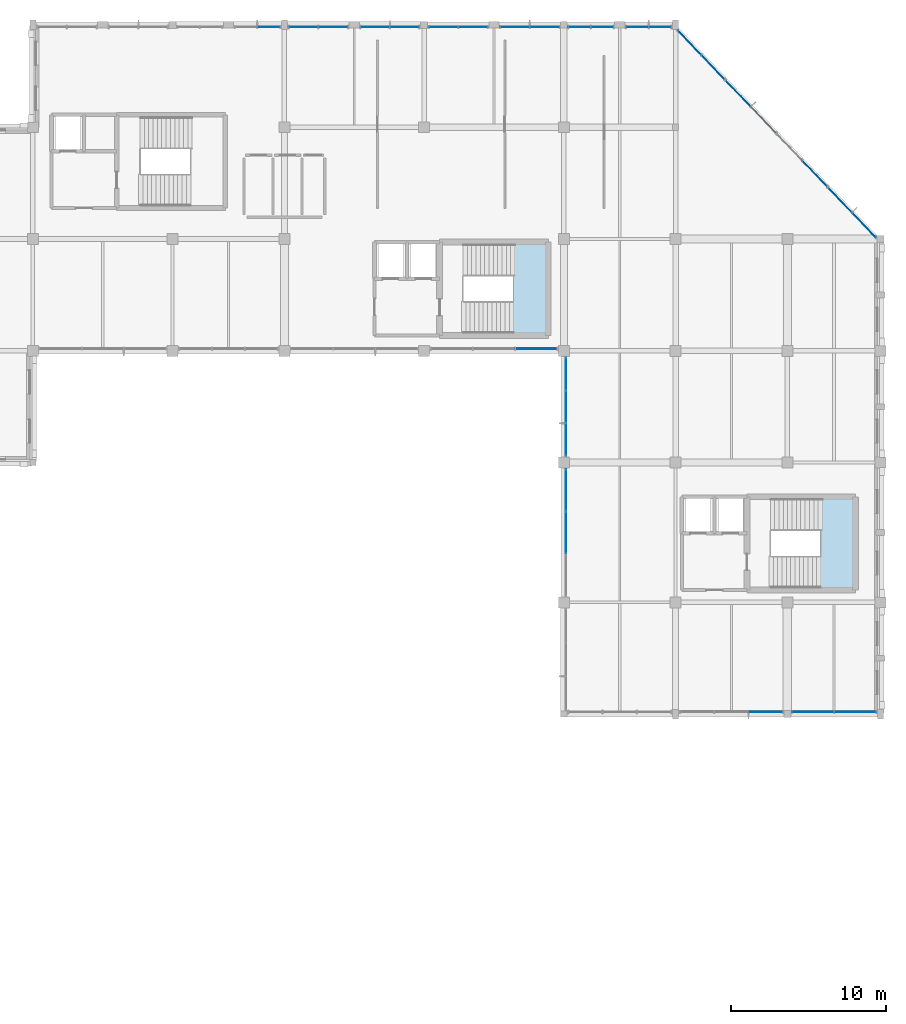
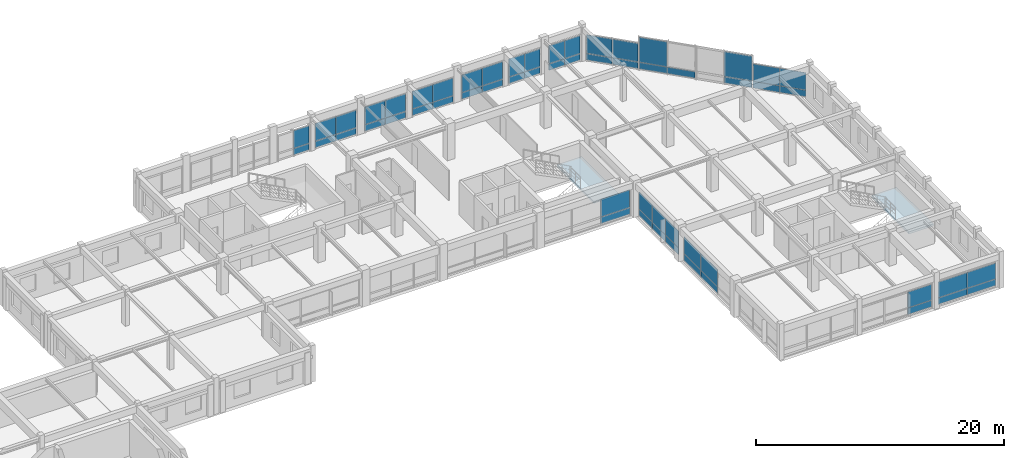
# One storey, part 35 of 52: 57 plates, 2 slabs, 18 elements without a shape of their own.
"""IFC4 building model written with IfcOpenShell, lengths in metres."""

from ifc_helpers import new_model, si_unit, direction, frame, frame_2d, origin, place, context, subcontext, project, spatial, polyline, rectangle, outline, extrude, material, layer, layer_set, type_object, element, aggregate, save


model = new_model("IFC4")

# Units and contexts
model_context = context("Model", 3, precision=1e-05, world=origin(), true_north=direction((0.0, 1.0)))
body_context = subcontext(model_context, "Body", "Model", "MODEL_VIEW")
ifc_project = project(units=[si_unit("LENGTHUNIT", "METRE"), si_unit("AREAUNIT", "SQUARE_METRE"), si_unit("VOLUMEUNIT", "CUBIC_METRE"), si_unit("PLANEANGLEUNIT", "RADIAN"), si_unit("MASSUNIT", "GRAM", prefix="KILO")], contexts=[model_context])

# Site, building, storey
site_placement = place(None, origin())
site = spatial("IfcSite", under=ifc_project, at=site_placement, CompositionType="ELEMENT")
building_placement = place(site_placement, origin())
building = spatial("IfcBuilding", under=site, at=building_placement, Name="Clarverna Civic Hall", CompositionType="ELEMENT")
storey_placement = place(building_placement, frame((0.0, 0.0, 16.800048828125)))
storey = spatial("IfcBuildingStorey", under=building, at=storey_placement, Name="L04", CompositionType="ELEMENT", Elevation=16.800048828125)

# Curtain wall, plate
ifc_material_1 = material(Name="Anodised Bronze Architectural Aluminium", Category="aluminium")
curtain_wall_type = type_object("IfcCurtainWallType", Name="CW-01", PredefinedType="USERDEFINED", material=ifc_material_1)
curtain_wall_1_placement = place(storey_placement, origin())
curtain_wall_1 = element("IfcCurtainWall", 1, at=curtain_wall_1_placement, inside=storey, type_object=curtain_wall_type, Name="CW-01-080", ObjectType="UNITISED CURTAIN WALL", PredefinedType="USERDEFINED")
ifc_material_2 = material(Name="Solar-Control Argon Low-E Double Glazing", Category="glass")
ifc_layer_1 = layer(ifc_material_2, 0.031982421875)
ifc_layer_set_1 = layer_set([ifc_layer_1], Name="Solar-Control Argon Low-E Double Glazing")
plate_type_1 = type_object("IfcPlateType", Name="CWP-01", PredefinedType="CURTAIN_PANEL", material=ifc_layer_set_1)
plate_1_placement = place(storey_placement, frame((127.87744140625, 115.860107421875, 0.764892578125), z_axis=(0.0, 0.0, 1.0), x_axis=(1.0, 0.0, 0.0)))
plate_1 = element("IfcPlate", 2, at=plate_1_placement, type_object=plate_type_1, Name="CWP-01-491", PredefinedType="CURTAIN_PANEL", context=body_context, shape_type="SweptSolid", body=[
    extrude(rectangle(XDim=1.4345703125, YDim=0.031982421875, at=frame_2d((0.71728515625, 0.0))), origin(), (0.0, 0.0, 1.0), 1.72509765625),
])

# Curtain wall, plates
curtain_wall_2_placement = place(storey_placement, origin())
curtain_wall_2 = element("IfcCurtainWall", 3, at=curtain_wall_2_placement, inside=storey, type_object=curtain_wall_type, Name="CW-01-081", ObjectType="UNITISED CURTAIN WALL", PredefinedType="USERDEFINED")
plate_2_placement = place(storey_placement, frame((129.887939453125, 115.860107421875, 0.764892578125), z_axis=(0.0, 0.0, 1.0), x_axis=(1.0, 0.0, 0.0)))
plate_2 = element("IfcPlate", 4, at=plate_2_placement, type_object=plate_type_1, Name="CWP-01-492", PredefinedType="CURTAIN_PANEL", context=body_context, shape_type="SweptSolid", body=[
    extrude(rectangle(XDim=1.884521484375, YDim=0.031982421875, at=frame_2d((0.9423828125, 0.0))), origin(), (0.0, 0.0, 1.0), 1.72509765625),
])
plate_3_placement = place(storey_placement, frame((131.802490234375, 115.860107421875, 0.764892578125), z_axis=(0.0, 0.0, 1.0), x_axis=(1.0, 0.0, 0.0)))
plate_3 = element("IfcPlate", 5, at=plate_3_placement, type_object=plate_type_1, Name="CWP-01-493", PredefinedType="CURTAIN_PANEL", context=body_context, shape_type="SweptSolid", body=[
    extrude(rectangle(XDim=1.884521484375, YDim=0.031982421875, at=frame_2d((0.9423828125, 0.0))), origin(), (0.0, 0.0, 1.0), 1.72509765625),
])

curtain_wall_3_placement = place(storey_placement, origin())
curtain_wall_3 = element("IfcCurtainWall", 6, at=curtain_wall_3_placement, inside=storey, type_object=curtain_wall_type, Name="CW-01-082", ObjectType="UNITISED CURTAIN WALL", PredefinedType="USERDEFINED")
plate_4_placement = place(storey_placement, frame((134.512939453125, 115.860107421875, 0.764892578125), z_axis=(0.0, 0.0, 1.0), x_axis=(1.0, 0.0, 0.0)))
plate_4 = element("IfcPlate", 7, at=plate_4_placement, type_object=plate_type_1, Name="CWP-01-494", PredefinedType="CURTAIN_PANEL", context=body_context, shape_type="SweptSolid", body=[
    extrude(rectangle(XDim=1.8720703125, YDim=0.031982421875, at=frame_2d((0.93603515625, 0.0))), origin(), (0.0, 0.0, 1.0), 1.72509765625),
])
plate_5_placement = place(storey_placement, frame((136.4150390625, 115.860107421875, 0.764892578125), z_axis=(0.0, 0.0, 1.0), x_axis=(1.0, 0.0, 0.0)))
plate_5 = element("IfcPlate", 8, at=plate_5_placement, type_object=plate_type_1, Name="CWP-01-495", PredefinedType="CURTAIN_PANEL", context=body_context, shape_type="SweptSolid", body=[
    extrude(rectangle(XDim=1.8720703125, YDim=0.031982421875, at=frame_2d((0.93603515625, 0.0))), origin(), (0.0, 0.0, 1.0), 1.72509765625),
])

curtain_wall_4_placement = place(storey_placement, origin())
curtain_wall_4 = element("IfcCurtainWall", 9, at=curtain_wall_4_placement, inside=storey, type_object=curtain_wall_type, Name="CW-01-083", ObjectType="UNITISED CURTAIN WALL", PredefinedType="USERDEFINED")
plate_6_placement = place(storey_placement, frame((138.9130859375, 115.860107421875, 0.764892578125), z_axis=(0.0, 0.0, 1.0), x_axis=(1.0, 0.0, 0.0)))
plate_6 = element("IfcPlate", 10, at=plate_6_placement, type_object=plate_type_1, Name="CWP-01-496", PredefinedType="CURTAIN_PANEL", context=body_context, shape_type="SweptSolid", body=[
    extrude(rectangle(XDim=1.871826171875, YDim=0.031982421875, at=frame_2d((0.93603515625, 0.0))), origin(), (0.0, 0.0, 1.0), 1.72509765625),
])
plate_7_placement = place(storey_placement, frame((140.81494140625, 115.860107421875, 0.764892578125), z_axis=(0.0, 0.0, 1.0), x_axis=(1.0, 0.0, 0.0)))
plate_7 = element("IfcPlate", 11, at=plate_7_placement, type_object=plate_type_1, Name="CWP-01-497", PredefinedType="CURTAIN_PANEL", context=body_context, shape_type="SweptSolid", body=[
    extrude(rectangle(XDim=1.8720703125, YDim=0.031982421875, at=frame_2d((0.93603515625, 0.0))), origin(), (0.0, 0.0, 1.0), 1.72509765625),
])

curtain_wall_5_placement = place(storey_placement, origin())
curtain_wall_5 = element("IfcCurtainWall", 12, at=curtain_wall_5_placement, inside=storey, type_object=curtain_wall_type, Name="CW-01-084", ObjectType="UNITISED CURTAIN WALL", PredefinedType="USERDEFINED")
plate_8_placement = place(storey_placement, frame((143.512939453125, 115.860107421875, 0.764892578125), z_axis=(0.0, 0.0, 1.0), x_axis=(1.0, 0.0, 0.0)))
plate_8 = element("IfcPlate", 13, at=plate_8_placement, type_object=plate_type_1, Name="CWP-01-498", PredefinedType="CURTAIN_PANEL", context=body_context, shape_type="SweptSolid", body=[
    extrude(rectangle(XDim=1.884521484375, YDim=0.031982421875, at=frame_2d((0.9423828125, 0.0))), origin(), (0.0, 0.0, 1.0), 1.72509765625),
])
plate_9_placement = place(storey_placement, frame((145.427490234375, 115.860107421875, 0.764892578125), z_axis=(0.0, 0.0, 1.0), x_axis=(1.0, 0.0, 0.0)))
plate_9 = element("IfcPlate", 14, at=plate_9_placement, type_object=plate_type_1, Name="CWP-01-499", PredefinedType="CURTAIN_PANEL", context=body_context, shape_type="SweptSolid", body=[
    extrude(rectangle(XDim=1.884521484375, YDim=0.031982421875, at=frame_2d((0.9423828125, 0.0))), origin(), (0.0, 0.0, 1.0), 1.72509765625),
])

curtain_wall_6_placement = place(storey_placement, origin())
curtain_wall_6 = element("IfcCurtainWall", 15, at=curtain_wall_6_placement, inside=storey, type_object=curtain_wall_type, Name="CW-01-085", ObjectType="UNITISED CURTAIN WALL", PredefinedType="USERDEFINED")
plate_10_placement = place(storey_placement, frame((147.887939453125, 115.860107421875, 0.764892578125), z_axis=(0.0, 0.0, 1.0), x_axis=(1.0, 0.0, 0.0)))
plate_10 = element("IfcPlate", 16, at=plate_10_placement, type_object=plate_type_1, Name="CWP-01-500", PredefinedType="CURTAIN_PANEL", context=body_context, shape_type="SweptSolid", body=[
    extrude(rectangle(XDim=1.4345703125, YDim=0.031982421875, at=frame_2d((0.71728515625, 0.0))), origin(), (0.0, 0.0, 1.0), 1.76513671875),
])
plate_11_placement = place(storey_placement, frame((149.3525390625, 115.860107421875, 0.764892578125), z_axis=(0.0, 0.0, 1.0), x_axis=(1.0, 0.0, 0.0)))
plate_11 = element("IfcPlate", 17, at=plate_11_placement, type_object=plate_type_1, Name="CWP-01-501", PredefinedType="CURTAIN_PANEL", context=body_context, shape_type="SweptSolid", body=[
    extrude(rectangle(XDim=1.4345703125, YDim=0.031982421875, at=frame_2d((0.71728515625, 0.0))), origin(), (0.0, 0.0, 1.0), 1.76513671875),
])

curtain_wall_7_placement = place(storey_placement, origin())
curtain_wall_7 = element("IfcCurtainWall", 18, at=curtain_wall_7_placement, inside=storey, type_object=curtain_wall_type, Name="CW-01-086", ObjectType="UNITISED CURTAIN WALL", PredefinedType="USERDEFINED")
plate_12_placement = place(storey_placement, frame((151.613037109375, 115.860107421875, 0.764892578125), z_axis=(0.0, 0.0, 1.0), x_axis=(1.0, 0.0, 0.0)))
plate_12 = element("IfcPlate", 19, at=plate_12_placement, type_object=plate_type_1, Name="CWP-01-502", PredefinedType="CURTAIN_PANEL", context=body_context, shape_type="SweptSolid", body=[
    extrude(rectangle(XDim=1.4345703125, YDim=0.031982421875, at=frame_2d((0.71728515625, 0.0))), origin(), (0.0, 0.0, 1.0), 1.76513671875),
])
plate_13_placement = place(storey_placement, frame((153.077392578125, 115.860107421875, 0.764892578125), z_axis=(0.0, 0.0, 1.0), x_axis=(1.0, 0.0, 0.0)))
plate_13 = element("IfcPlate", 20, at=plate_13_placement, type_object=plate_type_1, Name="CWP-01-503", PredefinedType="CURTAIN_PANEL", context=body_context, shape_type="SweptSolid", body=[
    extrude(rectangle(XDim=1.4345703125, YDim=0.031982421875, at=frame_2d((0.71728515625, 0.0))), origin(), (0.0, 0.0, 1.0), 1.76513671875),
])

curtain_wall_8_placement = place(storey_placement, origin())
curtain_wall_8 = element("IfcCurtainWall", 21, at=curtain_wall_8_placement, inside=storey, type_object=curtain_wall_type, Name="CW-01-087", ObjectType="UNITISED CURTAIN WALL", PredefinedType="USERDEFINED")
plate_14_placement = place(storey_placement, frame((154.964599609375, 115.62548828125, 0.764892578125), z_axis=(0.0, 0.0, 1.0), x_axis=(0.691132648489, -0.722727930962, 0.0)))
plate_14 = element("IfcPlate", 22, at=plate_14_placement, type_object=plate_type_1, Name="CWP-01-504", PredefinedType="CURTAIN_PANEL", context=body_context, shape_type="SweptSolid", body=[
    extrude(rectangle(XDim=2.15576171875, YDim=0.031982421875, at=frame_2d((1.077880859375, 0.0))), origin(), (0.0, 0.0, 1.0), 1.824951171875),
])
plate_15_placement = place(storey_placement, frame((156.4755859375, 114.0458984375, 0.764892578125), z_axis=(0.0, 0.0, 1.0), x_axis=(0.691132648489, -0.722727930962, 0.0)))
plate_15 = element("IfcPlate", 23, at=plate_15_placement, type_object=plate_type_1, Name="CWP-01-505", PredefinedType="CURTAIN_PANEL", context=body_context, shape_type="SweptSolid", body=[
    extrude(rectangle(XDim=2.15576171875, YDim=0.031982421875, at=frame_2d((1.077880859375, 0.0))), origin(), (0.0, 0.0, 1.0), 1.824951171875),
])

# Curtain wall, plate
curtain_wall_9_placement = place(storey_placement, origin())
curtain_wall_9 = element("IfcCurtainWall", 24, at=curtain_wall_9_placement, inside=storey, type_object=curtain_wall_type, Name="CW-01-088", ObjectType="UNITISED CURTAIN WALL", PredefinedType="USERDEFINED")
plate_16_placement = place(storey_placement, frame((158.031982421875, 112.418701171875, 0.764892578125), z_axis=(0.0, 0.0, 1.0), x_axis=(0.691174945329, -0.722687480831, 0.0)))
plate_16 = element("IfcPlate", 25, at=plate_16_placement, type_object=plate_type_1, Name="CWP-01-506", PredefinedType="CURTAIN_PANEL", context=body_context, shape_type="SweptSolid", body=[
    extrude(rectangle(XDim=2.32421875, YDim=0.031982421875, at=frame_2d((1.162109375, 0.0))), origin(), (0.0, 0.0, 1.0), 2.445068359375),
])

curtain_wall_10_placement = place(storey_placement, origin())
curtain_wall_10 = element("IfcCurtainWall", 26, at=curtain_wall_10_placement, inside=storey, type_object=curtain_wall_type, Name="CW-01-089", ObjectType="UNITISED CURTAIN WALL", PredefinedType="USERDEFINED")
plate_17_placement = place(storey_placement, frame((162.959228515625, 107.267333984375, 0.764892578125), z_axis=(0.0, 0.0, 1.0), x_axis=(0.691227416228, -0.72263729426, 0.0)))
plate_17 = element("IfcPlate", 27, at=plate_17_placement, type_object=plate_type_1, Name="CWP-01-509", PredefinedType="CURTAIN_PANEL", context=body_context, shape_type="SweptSolid", body=[
    extrude(rectangle(XDim=2.323974609375, YDim=0.031982421875, at=frame_2d((1.162109375, 0.0))), origin(), (0.0, 0.0, 1.0), 2.445068359375),
])

# Curtain wall, plates
curtain_wall_11_placement = place(storey_placement, origin())
curtain_wall_11 = element("IfcCurtainWall", 28, at=curtain_wall_11_placement, inside=storey, type_object=curtain_wall_type, Name="CW-01-090", ObjectType="UNITISED CURTAIN WALL", PredefinedType="USERDEFINED")
plate_18_placement = place(storey_placement, frame((164.632080078125, 105.5185546875, 0.764892578125), z_axis=(0.0, 0.0, 1.0), x_axis=(0.691157299137, -0.722704357154, 0.0)))
plate_18 = element("IfcPlate", 29, at=plate_18_placement, type_object=plate_type_1, Name="CWP-01-510", PredefinedType="CURTAIN_PANEL", context=body_context, shape_type="SweptSolid", body=[
    extrude(rectangle(XDim=2.20556640625, YDim=0.031982421875, at=frame_2d((1.102783203125, 0.0))), origin(), (0.0, 0.0, 1.0), 1.695068359375),
])
plate_19_placement = place(storey_placement, frame((166.17724609375, 103.903076171875, 0.764892578125), z_axis=(0.0, 0.0, 1.0), x_axis=(0.691215106814, -0.722649068437, 0.0)))
plate_19 = element("IfcPlate", 30, at=plate_19_placement, type_object=plate_type_1, Name="CWP-01-511", PredefinedType="CURTAIN_PANEL", context=body_context, shape_type="SweptSolid", body=[
    extrude(rectangle(XDim=2.205810546875, YDim=0.031982421875, at=frame_2d((1.10302734375, 0.0))), origin(), (0.0, 0.0, 1.0), 1.695068359375),
])

curtain_wall_12_placement = place(storey_placement, origin())
curtain_wall_12 = element("IfcCurtainWall", 31, at=curtain_wall_12_placement, inside=storey, type_object=curtain_wall_type, Name="CW-01-091", ObjectType="UNITISED CURTAIN WALL", PredefinedType="USERDEFINED")
plate_20_placement = place(storey_placement, frame((167.7119140625, 71.739990234375, 0.764892578125), z_axis=(0.0, 0.0, 1.0), x_axis=(-1.0, 0.0, 0.0)))
plate_20 = element("IfcPlate", 32, at=plate_20_placement, type_object=plate_type_1, Name="CWP-01-512", PredefinedType="CURTAIN_PANEL", context=body_context, shape_type="SweptSolid", body=[
    extrude(rectangle(XDim=2.684326171875, YDim=0.031982421875, at=frame_2d((1.34228515625, 0.0))), origin(), (0.0, 0.0, 1.0), 1.545166015625),
])
plate_21_placement = place(storey_placement, frame((164.99755859375, 71.739990234375, 0.764892578125), z_axis=(0.0, 0.0, 1.0), x_axis=(-1.0, 0.0, 0.0)))
plate_21 = element("IfcPlate", 33, at=plate_21_placement, type_object=plate_type_1, Name="CWP-01-513", PredefinedType="CURTAIN_PANEL", context=body_context, shape_type="SweptSolid", body=[
    extrude(rectangle(XDim=2.6845703125, YDim=0.031982421875, at=frame_2d((1.34228515625, 0.0))), origin(), (0.0, 0.0, 1.0), 1.545166015625),
])

# Curtain wall, plate
curtain_wall_13_placement = place(storey_placement, origin())
curtain_wall_13 = element("IfcCurtainWall", 34, at=curtain_wall_13_placement, inside=storey, type_object=curtain_wall_type, Name="CW-01-092", ObjectType="UNITISED CURTAIN WALL", PredefinedType="USERDEFINED")
plate_22_placement = place(storey_placement, frame((161.68701171875, 71.739990234375, 0.764892578125), z_axis=(0.0, 0.0, 1.0), x_axis=(-1.0, 0.0, 0.0)))
plate_22 = element("IfcPlate", 35, at=plate_22_placement, type_object=plate_type_1, Name="CWP-01-514", PredefinedType="CURTAIN_PANEL", context=body_context, shape_type="SweptSolid", body=[
    extrude(rectangle(XDim=2.1796875, YDim=0.031982421875, at=frame_2d((1.08984375, 0.0))), origin(), (0.0, 0.0, 1.0), 1.545166015625),
])

# Curtain wall, plates
curtain_wall_14_placement = place(storey_placement, origin())
curtain_wall_14 = element("IfcCurtainWall", 36, at=curtain_wall_14_placement, inside=storey, type_object=curtain_wall_type, Name="CW-01-095", ObjectType="UNITISED CURTAIN WALL", PredefinedType="USERDEFINED")
plate_23_placement = place(storey_placement, frame((147.739990234375, 81.9560546875, 0.764892578125), z_axis=(0.0, 0.0, 1.0), x_axis=(0.0, 1.0, 0.0)))
plate_23 = element("IfcPlate", 37, at=plate_23_placement, type_object=plate_type_1, Name="CWP-01-524", PredefinedType="CURTAIN_PANEL", context=body_context, shape_type="SweptSolid", body=[
    extrude(rectangle(XDim=2.68798828125, YDim=0.031982421875, at=frame_2d((1.343994140625, 0.0))), origin(), (0.0, 0.0, 1.0), 1.64501953125),
])
plate_24_placement = place(storey_placement, frame((147.739990234375, 84.674072265625, 0.764892578125), z_axis=(0.0, 0.0, 1.0), x_axis=(0.0, 1.0, 0.0)))
plate_24 = element("IfcPlate", 38, at=plate_24_placement, type_object=plate_type_1, Name="CWP-01-525", PredefinedType="CURTAIN_PANEL", context=body_context, shape_type="SweptSolid", body=[
    extrude(rectangle(XDim=2.68798828125, YDim=0.031982421875, at=frame_2d((1.343994140625, 0.0))), origin(), (0.0, 0.0, 1.0), 1.64501953125),
])

curtain_wall_15_placement = place(storey_placement, origin())
curtain_wall_15 = element("IfcCurtainWall", 39, at=curtain_wall_15_placement, inside=storey, type_object=curtain_wall_type, Name="CW-01-096", ObjectType="UNITISED CURTAIN WALL", PredefinedType="USERDEFINED")
plate_25_placement = place(storey_placement, frame((147.739990234375, 88.238037109375, 0.764892578125), z_axis=(0.0, 0.0, 1.0), x_axis=(0.0, 1.0, 0.0)))
plate_25 = element("IfcPlate", 40, at=plate_25_placement, type_object=plate_type_1, Name="CWP-01-526", PredefinedType="CURTAIN_PANEL", context=body_context, shape_type="SweptSolid", body=[
    extrude(rectangle(XDim=2.087890625, YDim=0.031982421875, at=frame_2d((1.0439453125, 0.0))), origin(), (0.0, 0.0, 1.0), 1.64501953125),
])
plate_26_placement = place(storey_placement, frame((147.739990234375, 90.35595703125, 0.764892578125), z_axis=(0.0, 0.0, 1.0), x_axis=(0.0, 1.0, 0.0)))
plate_26 = element("IfcPlate", 41, at=plate_26_placement, type_object=plate_type_1, Name="CWP-01-527", PredefinedType="CURTAIN_PANEL", context=body_context, shape_type="SweptSolid", body=[
    extrude(rectangle(XDim=2.088134765625, YDim=0.031982421875, at=frame_2d((1.0439453125, 0.0))), origin(), (0.0, 0.0, 1.0), 1.64501953125),
])
plate_27_placement = place(storey_placement, frame((147.739990234375, 92.47412109375, 0.764892578125), z_axis=(0.0, 0.0, 1.0), x_axis=(0.0, 1.0, 0.0)))
plate_27 = element("IfcPlate", 42, at=plate_27_placement, type_object=plate_type_1, Name="CWP-01-528", PredefinedType="CURTAIN_PANEL", context=body_context, shape_type="SweptSolid", body=[
    extrude(rectangle(XDim=2.087890625, YDim=0.031982421875, at=frame_2d((1.0439453125, 0.0))), origin(), (0.0, 0.0, 1.0), 1.64501953125),
])

# Curtain wall, plate
curtain_wall_16_placement = place(storey_placement, origin())
curtain_wall_16 = element("IfcCurtainWall", 43, at=curtain_wall_16_placement, inside=storey, type_object=curtain_wall_type, Name="CW-01-097", ObjectType="UNITISED CURTAIN WALL", PredefinedType="USERDEFINED")
plate_28_placement = place(storey_placement, frame((147.162109375, 95.139892578125, 0.764892578125), z_axis=(0.0, 0.0, 1.0), x_axis=(-1.0, 0.0, 0.0)))
plate_28 = element("IfcPlate", 44, at=plate_28_placement, type_object=plate_type_1, Name="CWP-01-529", PredefinedType="CURTAIN_PANEL", context=body_context, shape_type="SweptSolid", body=[
    extrude(rectangle(XDim=2.68798828125, YDim=0.031982421875, at=frame_2d((1.343994140625, 0.0))), origin(), (0.0, 0.0, 1.0), 1.7451171875),
])

# Plate
ifc_material_3 = material(Name="Insulated Anodised Bronze Spandrel Panel", Category="aluminium")
ifc_layer_2 = layer(ifc_material_3, 0.048095703125)
ifc_layer_set_2 = layer_set([ifc_layer_2], Name="Insulated Anodised Bronze Spandrel Panel")
plate_type_2 = type_object("IfcPlateType", Name="CWP-03", PredefinedType="CURTAIN_PANEL", material=ifc_layer_set_2)
plate_29_placement = place(storey_placement, frame((127.87744140625, 115.860107421875, 0.10986328125), z_axis=(0.0, 0.0, 1.0), x_axis=(1.0, 0.0, 0.0)))
plate_29 = element("IfcPlate", 45, at=plate_29_placement, type_object=plate_type_2, Name="CWP-03-493", PredefinedType="CURTAIN_PANEL", context=body_context, shape_type="SweptSolid", body=[
    extrude(rectangle(XDim=1.4345703125, YDim=0.048095703125, at=frame_2d((0.71728515625, 0.0))), origin(), (0.0, 0.0, 1.0), 0.625),
])

aggregate(curtain_wall_1, [plate_29, plate_1])

plate_30_placement = place(storey_placement, frame((129.887939453125, 115.860107421875, 0.10986328125), z_axis=(0.0, 0.0, 1.0), x_axis=(1.0, 0.0, 0.0)))
plate_30 = element("IfcPlate", 46, at=plate_30_placement, type_object=plate_type_2, Name="CWP-03-494", PredefinedType="CURTAIN_PANEL", context=body_context, shape_type="SweptSolid", body=[
    extrude(rectangle(XDim=1.884521484375, YDim=0.048095703125, at=frame_2d((0.9423828125, 0.0))), origin(), (0.0, 0.0, 1.0), 0.625),
])

plate_31_placement = place(storey_placement, frame((131.802490234375, 115.860107421875, 0.10986328125), z_axis=(0.0, 0.0, 1.0), x_axis=(1.0, 0.0, 0.0)))
plate_31 = element("IfcPlate", 47, at=plate_31_placement, type_object=plate_type_2, Name="CWP-03-495", PredefinedType="CURTAIN_PANEL", context=body_context, shape_type="SweptSolid", body=[
    extrude(rectangle(XDim=1.884521484375, YDim=0.048095703125, at=frame_2d((0.9423828125, 0.0))), origin(), (0.0, 0.0, 1.0), 0.625),
])

aggregate(curtain_wall_2, [plate_30, plate_2, plate_31, plate_3])

plate_32_placement = place(storey_placement, frame((134.512939453125, 115.860107421875, 0.10986328125), z_axis=(0.0, 0.0, 1.0), x_axis=(1.0, 0.0, 0.0)))
plate_32 = element("IfcPlate", 48, at=plate_32_placement, type_object=plate_type_2, Name="CWP-03-496", PredefinedType="CURTAIN_PANEL", context=body_context, shape_type="SweptSolid", body=[
    extrude(rectangle(XDim=1.8720703125, YDim=0.048095703125, at=frame_2d((0.93603515625, 0.0))), origin(), (0.0, 0.0, 1.0), 0.625),
])

plate_33_placement = place(storey_placement, frame((136.4150390625, 115.860107421875, 0.10986328125), z_axis=(0.0, 0.0, 1.0), x_axis=(1.0, 0.0, 0.0)))
plate_33 = element("IfcPlate", 49, at=plate_33_placement, type_object=plate_type_2, Name="CWP-03-497", PredefinedType="CURTAIN_PANEL", context=body_context, shape_type="SweptSolid", body=[
    extrude(rectangle(XDim=1.8720703125, YDim=0.048095703125, at=frame_2d((0.93603515625, 0.0))), origin(), (0.0, 0.0, 1.0), 0.625),
])

aggregate(curtain_wall_3, [plate_32, plate_4, plate_33, plate_5])

plate_34_placement = place(storey_placement, frame((138.9130859375, 115.860107421875, 0.10986328125), z_axis=(0.0, 0.0, 1.0), x_axis=(1.0, 0.0, 0.0)))
plate_34 = element("IfcPlate", 50, at=plate_34_placement, type_object=plate_type_2, Name="CWP-03-498", PredefinedType="CURTAIN_PANEL", context=body_context, shape_type="SweptSolid", body=[
    extrude(rectangle(XDim=1.871826171875, YDim=0.048095703125, at=frame_2d((0.93603515625, 0.0))), origin(), (0.0, 0.0, 1.0), 0.625),
])

plate_35_placement = place(storey_placement, frame((140.81494140625, 115.860107421875, 0.10986328125), z_axis=(0.0, 0.0, 1.0), x_axis=(1.0, 0.0, 0.0)))
plate_35 = element("IfcPlate", 51, at=plate_35_placement, type_object=plate_type_2, Name="CWP-03-499", PredefinedType="CURTAIN_PANEL", context=body_context, shape_type="SweptSolid", body=[
    extrude(rectangle(XDim=1.8720703125, YDim=0.048095703125, at=frame_2d((0.93603515625, 0.0))), origin(), (0.0, 0.0, 1.0), 0.625),
])

aggregate(curtain_wall_4, [plate_34, plate_6, plate_35, plate_7])

plate_36_placement = place(storey_placement, frame((143.512939453125, 115.860107421875, 0.10986328125), z_axis=(0.0, 0.0, 1.0), x_axis=(1.0, 0.0, 0.0)))
plate_36 = element("IfcPlate", 52, at=plate_36_placement, type_object=plate_type_2, Name="CWP-03-500", PredefinedType="CURTAIN_PANEL", context=body_context, shape_type="SweptSolid", body=[
    extrude(rectangle(XDim=1.884521484375, YDim=0.048095703125, at=frame_2d((0.9423828125, 0.0))), origin(), (0.0, 0.0, 1.0), 0.625),
])

plate_37_placement = place(storey_placement, frame((145.427490234375, 115.860107421875, 0.10986328125), z_axis=(0.0, 0.0, 1.0), x_axis=(1.0, 0.0, 0.0)))
plate_37 = element("IfcPlate", 53, at=plate_37_placement, type_object=plate_type_2, Name="CWP-03-501", PredefinedType="CURTAIN_PANEL", context=body_context, shape_type="SweptSolid", body=[
    extrude(rectangle(XDim=1.884521484375, YDim=0.048095703125, at=frame_2d((0.9423828125, 0.0))), origin(), (0.0, 0.0, 1.0), 0.625),
])

aggregate(curtain_wall_5, [plate_36, plate_8, plate_37, plate_9])

plate_38_placement = place(storey_placement, frame((147.887939453125, 115.860107421875, 0.10986328125), z_axis=(0.0, 0.0, 1.0), x_axis=(1.0, 0.0, 0.0)))
plate_38 = element("IfcPlate", 54, at=plate_38_placement, type_object=plate_type_2, Name="CWP-03-502", PredefinedType="CURTAIN_PANEL", context=body_context, shape_type="SweptSolid", body=[
    extrude(rectangle(XDim=1.4345703125, YDim=0.048095703125, at=frame_2d((0.71728515625, 0.0))), origin(), (0.0, 0.0, 1.0), 0.625),
])

plate_39_placement = place(storey_placement, frame((149.3525390625, 115.860107421875, 0.10986328125), z_axis=(0.0, 0.0, 1.0), x_axis=(1.0, 0.0, 0.0)))
plate_39 = element("IfcPlate", 55, at=plate_39_placement, type_object=plate_type_2, Name="CWP-03-503", PredefinedType="CURTAIN_PANEL", context=body_context, shape_type="SweptSolid", body=[
    extrude(rectangle(XDim=1.4345703125, YDim=0.048095703125, at=frame_2d((0.71728515625, 0.0))), origin(), (0.0, 0.0, 1.0), 0.625),
])

aggregate(curtain_wall_6, [plate_38, plate_10, plate_39, plate_11])

plate_40_placement = place(storey_placement, frame((151.613037109375, 115.860107421875, 0.10986328125), z_axis=(0.0, 0.0, 1.0), x_axis=(1.0, 0.0, 0.0)))
plate_40 = element("IfcPlate", 56, at=plate_40_placement, type_object=plate_type_2, Name="CWP-03-504", PredefinedType="CURTAIN_PANEL", context=body_context, shape_type="SweptSolid", body=[
    extrude(rectangle(XDim=1.4345703125, YDim=0.048095703125, at=frame_2d((0.71728515625, 0.0))), origin(), (0.0, 0.0, 1.0), 0.625),
])

plate_41_placement = place(storey_placement, frame((153.077392578125, 115.860107421875, 0.10986328125), z_axis=(0.0, 0.0, 1.0), x_axis=(1.0, 0.0, 0.0)))
plate_41 = element("IfcPlate", 57, at=plate_41_placement, type_object=plate_type_2, Name="CWP-03-505", PredefinedType="CURTAIN_PANEL", context=body_context, shape_type="SweptSolid", body=[
    extrude(rectangle(XDim=1.4345703125, YDim=0.048095703125, at=frame_2d((0.71728515625, 0.0))), origin(), (0.0, 0.0, 1.0), 0.625),
])

aggregate(curtain_wall_7, [plate_40, plate_12, plate_41, plate_13])

plate_42_placement = place(storey_placement, frame((154.964599609375, 115.62548828125, 0.10986328125), z_axis=(0.0, 0.0, 1.0), x_axis=(0.691132648489, -0.722727930962, 0.0)))
plate_42 = element("IfcPlate", 58, at=plate_42_placement, type_object=plate_type_2, Name="CWP-03-506", PredefinedType="CURTAIN_PANEL", context=body_context, shape_type="SweptSolid", body=[
    extrude(rectangle(XDim=2.15576171875, YDim=0.048095703125, at=frame_2d((1.077880859375, 0.0))), origin(), (0.0, 0.0, 1.0), 0.625),
])

plate_43_placement = place(storey_placement, frame((156.4755859375, 114.0458984375, 0.10986328125), z_axis=(0.0, 0.0, 1.0), x_axis=(0.691132648489, -0.722727930962, 0.0)))
plate_43 = element("IfcPlate", 59, at=plate_43_placement, type_object=plate_type_2, Name="CWP-03-507", PredefinedType="CURTAIN_PANEL", context=body_context, shape_type="SweptSolid", body=[
    extrude(rectangle(XDim=2.15576171875, YDim=0.048095703125, at=frame_2d((1.077880859375, 0.0))), origin(), (0.0, 0.0, 1.0), 0.625),
])

aggregate(curtain_wall_8, [plate_42, plate_14, plate_43, plate_15])

plate_44_placement = place(storey_placement, frame((158.031982421875, 112.418701171875, 0.10986328125), z_axis=(0.0, 0.0, 1.0), x_axis=(0.691174945329, -0.722687480831, 0.0)))
plate_44 = element("IfcPlate", 60, at=plate_44_placement, type_object=plate_type_2, Name="CWP-03-508", PredefinedType="CURTAIN_PANEL", context=body_context, shape_type="SweptSolid", body=[
    extrude(rectangle(XDim=2.32421875, YDim=0.048095703125, at=frame_2d((1.162109375, 0.0))), origin(), (0.0, 0.0, 1.0), 0.625),
])

plate_45_placement = place(storey_placement, frame((159.6591796875, 110.71728515625, 0.10986328125), z_axis=(0.0, 0.0, 1.0), x_axis=(0.691227416228, -0.72263729426, 0.0)))
plate_45 = element("IfcPlate", 61, at=plate_45_placement, type_object=plate_type_2, Name="CWP-03-509", PredefinedType="CURTAIN_PANEL", context=body_context, shape_type="SweptSolid", body=[
    extrude(rectangle(XDim=2.323974609375, YDim=0.048095703125, at=frame_2d((1.162109375, 0.0))), origin(), (0.0, 0.0, 1.0), 0.625),
])

aggregate(curtain_wall_9, [plate_44, plate_16, plate_45])

plate_46_placement = place(storey_placement, frame((162.959228515625, 107.267333984375, 0.10986328125), z_axis=(0.0, 0.0, 1.0), x_axis=(0.691227416228, -0.72263729426, 0.0)))
plate_46 = element("IfcPlate", 62, at=plate_46_placement, type_object=plate_type_2, Name="CWP-03-511", PredefinedType="CURTAIN_PANEL", context=body_context, shape_type="SweptSolid", body=[
    extrude(rectangle(XDim=2.323974609375, YDim=0.048095703125, at=frame_2d((1.162109375, 0.0))), origin(), (0.0, 0.0, 1.0), 0.625),
])

aggregate(curtain_wall_10, [plate_46, plate_17])

plate_47_placement = place(storey_placement, frame((164.632080078125, 105.5185546875, 0.10986328125), z_axis=(0.0, 0.0, 1.0), x_axis=(0.691157299137, -0.722704357154, 0.0)))
plate_47 = element("IfcPlate", 63, at=plate_47_placement, type_object=plate_type_2, Name="CWP-03-512", PredefinedType="CURTAIN_PANEL", context=body_context, shape_type="SweptSolid", body=[
    extrude(rectangle(XDim=2.20556640625, YDim=0.048095703125, at=frame_2d((1.102783203125, 0.0))), origin(), (0.0, 0.0, 1.0), 0.625),
])

plate_48_placement = place(storey_placement, frame((166.17724609375, 103.903076171875, 0.10986328125), z_axis=(0.0, 0.0, 1.0), x_axis=(0.691215106814, -0.722649068437, 0.0)))
plate_48 = element("IfcPlate", 64, at=plate_48_placement, type_object=plate_type_2, Name="CWP-03-513", PredefinedType="CURTAIN_PANEL", context=body_context, shape_type="SweptSolid", body=[
    extrude(rectangle(XDim=2.205810546875, YDim=0.048095703125, at=frame_2d((1.10302734375, 0.0))), origin(), (0.0, 0.0, 1.0), 0.625),
])

aggregate(curtain_wall_11, [plate_47, plate_18, plate_48, plate_19])

plate_49_placement = place(storey_placement, frame((167.7119140625, 71.739990234375, 0.10986328125), z_axis=(0.0, 0.0, 1.0), x_axis=(-1.0, 0.0, 0.0)))
plate_49 = element("IfcPlate", 65, at=plate_49_placement, type_object=plate_type_2, Name="CWP-03-514", PredefinedType="CURTAIN_PANEL", context=body_context, shape_type="SweptSolid", body=[
    extrude(rectangle(XDim=2.684326171875, YDim=0.048095703125, at=frame_2d((1.34228515625, 0.0))), origin(), (0.0, 0.0, 1.0), 0.625),
])

plate_50_placement = place(storey_placement, frame((164.99755859375, 71.739990234375, 0.10986328125), z_axis=(0.0, 0.0, 1.0), x_axis=(-1.0, 0.0, 0.0)))
plate_50 = element("IfcPlate", 66, at=plate_50_placement, type_object=plate_type_2, Name="CWP-03-515", PredefinedType="CURTAIN_PANEL", context=body_context, shape_type="SweptSolid", body=[
    extrude(rectangle(XDim=2.6845703125, YDim=0.048095703125, at=frame_2d((1.34228515625, 0.0))), origin(), (0.0, 0.0, 1.0), 0.625),
])

aggregate(curtain_wall_12, [plate_49, plate_20, plate_50, plate_21])

plate_51_placement = place(storey_placement, frame((161.68701171875, 71.739990234375, 0.10986328125), z_axis=(0.0, 0.0, 1.0), x_axis=(-1.0, 0.0, 0.0)))
plate_51 = element("IfcPlate", 67, at=plate_51_placement, type_object=plate_type_2, Name="CWP-03-516", PredefinedType="CURTAIN_PANEL", context=body_context, shape_type="SweptSolid", body=[
    extrude(rectangle(XDim=2.1796875, YDim=0.048095703125, at=frame_2d((1.08984375, 0.0))), origin(), (0.0, 0.0, 1.0), 0.625),
])

aggregate(curtain_wall_13, [plate_51, plate_22])

plate_52_placement = place(storey_placement, frame((147.739990234375, 81.9560546875, 0.10986328125), z_axis=(0.0, 0.0, 1.0), x_axis=(0.0, 1.0, 0.0)))
plate_52 = element("IfcPlate", 68, at=plate_52_placement, type_object=plate_type_2, Name="CWP-03-526", PredefinedType="CURTAIN_PANEL", context=body_context, shape_type="SweptSolid", body=[
    extrude(rectangle(XDim=2.68798828125, YDim=0.048095703125, at=frame_2d((1.343994140625, 0.0))), origin(), (0.0, 0.0, 1.0), 0.625),
])

plate_53_placement = place(storey_placement, frame((147.739990234375, 84.674072265625, 0.10986328125), z_axis=(0.0, 0.0, 1.0), x_axis=(0.0, 1.0, 0.0)))
plate_53 = element("IfcPlate", 69, at=plate_53_placement, type_object=plate_type_2, Name="CWP-03-527", PredefinedType="CURTAIN_PANEL", context=body_context, shape_type="SweptSolid", body=[
    extrude(rectangle(XDim=2.68798828125, YDim=0.048095703125, at=frame_2d((1.343994140625, 0.0))), origin(), (0.0, 0.0, 1.0), 0.625),
])

aggregate(curtain_wall_14, [plate_52, plate_23, plate_53, plate_24])

plate_54_placement = place(storey_placement, frame((147.739990234375, 88.238037109375, 0.10986328125), z_axis=(0.0, 0.0, 1.0), x_axis=(0.0, 1.0, 0.0)))
plate_54 = element("IfcPlate", 70, at=plate_54_placement, type_object=plate_type_2, Name="CWP-03-528", PredefinedType="CURTAIN_PANEL", context=body_context, shape_type="SweptSolid", body=[
    extrude(rectangle(XDim=2.087890625, YDim=0.048095703125, at=frame_2d((1.0439453125, 0.0))), origin(), (0.0, 0.0, 1.0), 0.625),
])

plate_55_placement = place(storey_placement, frame((147.739990234375, 90.35595703125, 0.10986328125), z_axis=(0.0, 0.0, 1.0), x_axis=(0.0, 1.0, 0.0)))
plate_55 = element("IfcPlate", 71, at=plate_55_placement, type_object=plate_type_2, Name="CWP-03-529", PredefinedType="CURTAIN_PANEL", context=body_context, shape_type="SweptSolid", body=[
    extrude(rectangle(XDim=2.088134765625, YDim=0.048095703125, at=frame_2d((1.0439453125, 0.0))), origin(), (0.0, 0.0, 1.0), 0.625),
])

plate_56_placement = place(storey_placement, frame((147.739990234375, 92.47412109375, 0.10986328125), z_axis=(0.0, 0.0, 1.0), x_axis=(0.0, 1.0, 0.0)))
plate_56 = element("IfcPlate", 72, at=plate_56_placement, type_object=plate_type_2, Name="CWP-03-530", PredefinedType="CURTAIN_PANEL", context=body_context, shape_type="SweptSolid", body=[
    extrude(rectangle(XDim=2.087890625, YDim=0.048095703125, at=frame_2d((1.0439453125, 0.0))), origin(), (0.0, 0.0, 1.0), 0.625),
])

aggregate(curtain_wall_15, [plate_54, plate_25, plate_55, plate_26, plate_56, plate_27])

plate_57_placement = place(storey_placement, frame((147.162109375, 95.139892578125, 0.10986328125), z_axis=(0.0, 0.0, 1.0), x_axis=(-1.0, 0.0, 0.0)))
plate_57 = element("IfcPlate", 73, at=plate_57_placement, type_object=plate_type_2, Name="CWP-03-531", PredefinedType="CURTAIN_PANEL", context=body_context, shape_type="SweptSolid", body=[
    extrude(rectangle(XDim=2.68798828125, YDim=0.048095703125, at=frame_2d((1.343994140625, 0.0))), origin(), (0.0, 0.0, 1.0), 0.625),
])

aggregate(curtain_wall_16, [plate_57, plate_28])

# Stair, slab
ifc_material_4 = material(Name="Concrete C30/37", Category="concrete")
stair_type = type_object("IfcStairType", Name="ST-H1", PredefinedType="HALF_TURN_STAIR", material=ifc_material_4)
stair_1_placement = place(storey_placement, origin())
stair_1 = element("IfcStair", 74, at=stair_1_placement, inside=storey, type_object=stair_type, Name="ST-H1:L04:0004", PredefinedType="HALF_TURN_STAIR")
ifc_layer_3 = layer(ifc_material_4, 0.199951171875)
ifc_layer_set_3 = layer_set([ifc_layer_3], Name="Concrete C30/37")
slab_type = type_object("IfcSlabType", Name="SL-LD1", PredefinedType="LANDING", material=ifc_layer_set_3)
slab_1_placement = place(storey_placement, frame((0.0, 0.0, 1.599853515625)))
slab_1 = element("IfcSlab", 75, at=slab_1_placement, type_object=slab_type, Name="SL-LD1-006", PredefinedType="LANDING", context=body_context, shape_type="SweptSolid", body=[
    extrude(outline(polyline([(144.340087890625, 96.02001953125), (146.64990234375, 96.02001953125), (146.64990234375, 101.97998046875), (144.340087890625, 101.97998046875), (144.340087890625, 96.02001953125)])), origin(), (0.0, 0.0, 1.0), 0.2001953125),
])
aggregate(stair_1, [slab_1])

stair_2_placement = place(storey_placement, origin())
stair_2 = element("IfcStair", 76, at=stair_2_placement, inside=storey, type_object=stair_type, Name="ST-H1:L04:0010", PredefinedType="HALF_TURN_STAIR")
slab_2_placement = place(storey_placement, frame((0.0, 0.0, 1.599853515625)))
slab_2 = element("IfcSlab", 77, at=slab_2_placement, type_object=slab_type, Name="SL-LD1-014", PredefinedType="LANDING", context=body_context, shape_type="SweptSolid", body=[
    extrude(outline(polyline([(164.139892578125, 79.6201171875), (166.449951171875, 79.6201171875), (166.449951171875, 85.580078125), (164.139892578125, 85.580078125), (164.139892578125, 79.6201171875)])), origin(), (0.0, 0.0, 1.0), 0.2001953125),
])
aggregate(stair_2, [slab_2])

save(model, "model.ifc")
